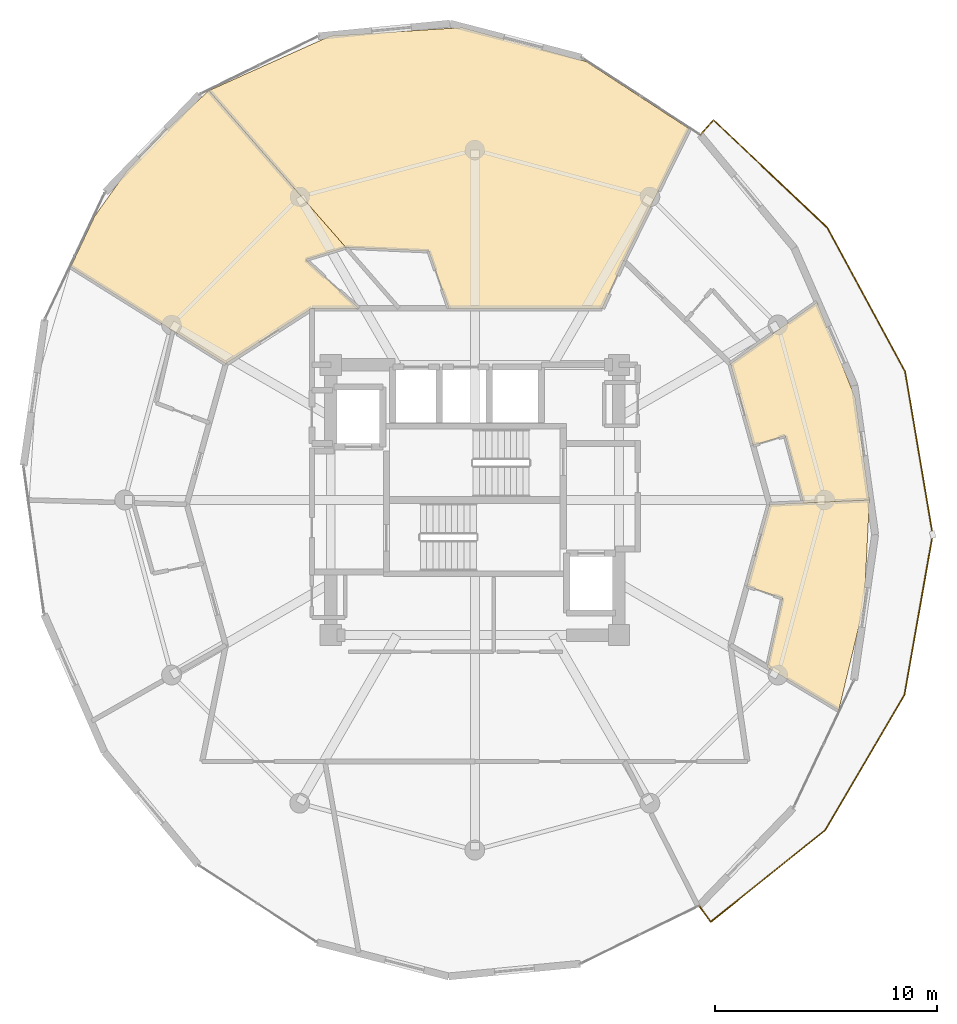
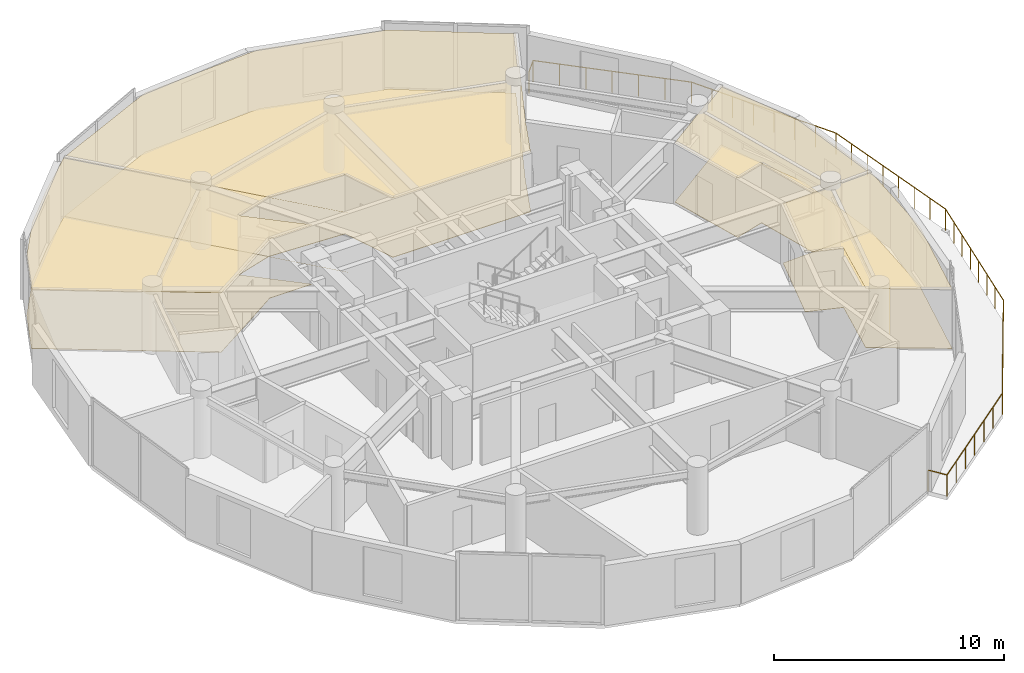
# One storey, part 22 of 22: 8 coverings, 1 railing.
"""IFC4 building model written with IfcOpenShell, lengths in metres."""

from ifc_helpers import new_model, si_unit, direction, frame, origin, origin_2d, place, context, subcontext, project, spatial, polyline, circle, outline, extrude, material, layer, layer_set, type_object, element, save


model = new_model("IFC4")

# Units and contexts
model_context = context("Model", 3, precision=1e-05, world=origin(), true_north=direction((0.0, 1.0)))
body_context = subcontext(model_context, "Body", "Model", "MODEL_VIEW")
ifc_project = project(units=[si_unit("LENGTHUNIT", "METRE"), si_unit("AREAUNIT", "SQUARE_METRE"), si_unit("VOLUMEUNIT", "CUBIC_METRE"), si_unit("PLANEANGLEUNIT", "RADIAN"), si_unit("MASSUNIT", "GRAM", prefix="KILO")], contexts=[model_context])

# Site, building, storey
site_placement = place(None, origin())
site = spatial("IfcSite", under=ifc_project, at=site_placement, CompositionType="ELEMENT")
building_placement = place(site_placement, origin())
building = spatial("IfcBuilding", under=site, at=building_placement, Name="Solvirekh Grand Hotel", CompositionType="ELEMENT")
storey_placement = place(building_placement, frame((0.0, 0.0, 230.800048828125)))
storey = spatial("IfcBuildingStorey", under=building, at=storey_placement, Name="L60", CompositionType="ELEMENT", Elevation=230.800048828125)

# Coverings
ifc_material_1 = material(Name="Acoustic Mineral Ceiling Tile")
ifc_layer_1 = layer(ifc_material_1, 0.02490234375)
ifc_layer_set_1 = layer_set([ifc_layer_1], Name="Acoustic Mineral Ceiling Tile")
covering_type_1 = type_object("IfcCoveringType", Name="Cov_Ceiling_Acoustic", PredefinedType="CEILING", material=ifc_layer_set_1)
covering_1_placement = place(storey_placement, frame((0.0, 0.0, 3.14990234375)))
element("IfcCovering", 1, at=covering_1_placement, inside=storey, type_object=covering_type_1, Name="L60 Panorama Suite 6201 acoustic ceiling", PredefinedType="CEILING", context=body_context, shape_type="SweptSolid", body=[
    extrude(outline(polyline([(-5.822021484375, 11.40087890625), (-2.077880859375, 11.23193359375), (-1.169921875, 8.64990234375), (5.75, 8.64990234375), (6.72509765625, 10.799072265625), (9.674072265625, 16.7548828125), (5.02587890625, 19.7880859375), (-0.55810546875, 21.319091796875), (-6.50390625, 20.946044921875), (-11.998046875, 18.47509765625), (-5.822021484375, 11.40087890625)])), origin(), (0.0, 0.0, 1.0), 0.01806640625),
])
covering_2_placement = place(storey_placement, frame((0.0, 0.0, 3.14990234375)))
element("IfcCovering", 2, at=covering_2_placement, inside=storey, type_object=covering_type_1, Name="L60 Deluxe Guestroom 6202 acoustic ceiling", PredefinedType="CEILING", context=body_context, shape_type="SweptSolid", body=[
    extrude(outline(polyline([(-5.22802734375, 8.64990234375), (-7.62890625, 10.845947265625), (-5.822021484375, 11.40087890625), (-3.419921875, 8.64990234375), (-11.998046875, 18.47509765625), (-13.904052734375, 16.717041015625), (-15.677978515625, 14.8779296875), (-17.152099609375, 12.80810546875), (-18.23388671875, 10.527099609375), (-11.238037109375, 6.14990234375), (-7.35009765625, 8.64990234375), (-5.22802734375, 8.64990234375)])), origin(), (0.0, 0.0, 1.0), 0.01806640625),
])
covering_3_placement = place(storey_placement, frame((0.0, 0.0, 3.14990234375)))
element("IfcCovering", 3, at=covering_3_placement, inside=storey, type_object=covering_type_1, Name="L60 Deluxe Guestroom 6205 acoustic ceiling", PredefinedType="CEILING", context=body_context, shape_type="SweptSolid", body=[
    extrude(outline(polyline([(13.885986328125, -4.43310546875), (13.200927734375, -7.548095703125), (16.427978515625, -9.485107421875), (17.571044921875, -4.7080078125), (17.81005859375, 0.0), (13.300048828125, -0.199951171875), (12.278076171875, -3.883056640625), (13.885986328125, -4.43310546875)])), origin(), (0.0, 0.0, 1.0), 0.01806640625),
])
covering_4_placement = place(storey_placement, frame((0.0, 0.0, 3.14990234375)))
element("IfcCovering", 4, at=covering_4_placement, inside=storey, type_object=covering_type_1, Name="L60 Deluxe Guestroom 6206 acoustic ceiling", PredefinedType="CEILING", context=body_context, shape_type="SweptSolid", body=[
    extrude(outline(polyline([(14.008056640625, 2.902099609375), (14.8330078125, -0.132080078125), (17.81005859375, 0.0), (17.173095703125, 4.60205078125), (15.447021484375, 8.9189453125), (11.5380859375, 6.14990234375), (12.56005859375, 2.467041015625), (14.008056640625, 2.902099609375)])), origin(), (0.0, 0.0, 1.0), 0.01806640625),
])
ifc_material_2 = material(Name="Porcelain Stoneware Flooring", Category="masonry")
ifc_layer_2 = layer(ifc_material_2, 0.030029296875)
ifc_layer_set_2 = layer_set([ifc_layer_2], Name="Porcelain Stoneware Flooring")
covering_type_2 = type_object("IfcCoveringType", Name="Cov_Floor_Stone", PredefinedType="FLOORING", material=ifc_layer_set_2)
covering_5_placement = place(storey_placement, origin())
element("IfcCovering", 5, at=covering_5_placement, inside=storey, type_object=covering_type_2, Name="L60 Panorama Suite 6201 polished granite flooring", PredefinedType="FLOORING", context=body_context, shape_type="SweptSolid", body=[
    extrude(outline(polyline([(-5.822021484375, 11.40087890625), (-2.077880859375, 11.23193359375), (-1.169921875, 8.64990234375), (5.75, 8.64990234375), (6.72509765625, 10.799072265625), (9.674072265625, 16.7548828125), (5.02587890625, 19.7880859375), (-0.55810546875, 21.319091796875), (-6.50390625, 20.946044921875), (-11.998046875, 18.47509765625), (-5.822021484375, 11.40087890625)])), origin(), (0.0, 0.0, 1.0), 0.02001953125),
])
covering_6_placement = place(storey_placement, origin())
element("IfcCovering", 6, at=covering_6_placement, inside=storey, type_object=covering_type_2, Name="L60 Deluxe Guestroom 6202 polished granite flooring", PredefinedType="FLOORING", context=body_context, shape_type="SweptSolid", body=[
    extrude(outline(polyline([(-5.22802734375, 8.64990234375), (-7.62890625, 10.845947265625), (-5.822021484375, 11.40087890625), (-3.419921875, 8.64990234375), (-11.998046875, 18.47509765625), (-13.904052734375, 16.717041015625), (-15.677978515625, 14.8779296875), (-17.152099609375, 12.80810546875), (-18.23388671875, 10.527099609375), (-11.238037109375, 6.14990234375), (-7.35009765625, 8.64990234375), (-5.22802734375, 8.64990234375)])), origin(), (0.0, 0.0, 1.0), 0.02001953125),
])
covering_7_placement = place(storey_placement, origin())
element("IfcCovering", 7, at=covering_7_placement, inside=storey, type_object=covering_type_2, Name="L60 Deluxe Guestroom 6205 polished granite flooring", PredefinedType="FLOORING", context=body_context, shape_type="SweptSolid", body=[
    extrude(outline(polyline([(13.885986328125, -4.43310546875), (13.200927734375, -7.548095703125), (16.427978515625, -9.485107421875), (17.571044921875, -4.7080078125), (17.81005859375, 0.0), (13.300048828125, -0.199951171875), (12.278076171875, -3.883056640625), (13.885986328125, -4.43310546875)])), origin(), (0.0, 0.0, 1.0), 0.02001953125),
])
covering_8_placement = place(storey_placement, origin())
element("IfcCovering", 8, at=covering_8_placement, inside=storey, type_object=covering_type_2, Name="L60 Deluxe Guestroom 6206 polished granite flooring", PredefinedType="FLOORING", context=body_context, shape_type="SweptSolid", body=[
    extrude(outline(polyline([(14.008056640625, 2.902099609375), (14.8330078125, -0.132080078125), (17.81005859375, 0.0), (17.173095703125, 4.60205078125), (15.447021484375, 8.9189453125), (11.5380859375, 6.14990234375), (12.56005859375, 2.467041015625), (14.008056640625, 2.902099609375)])), origin(), (0.0, 0.0, 1.0), 0.02001953125),
])

# Railing
ifc_material_3 = material(Name="Anodized Bronze Aluminium 6063-T6", Category="aluminium")
railing_type = type_object("IfcRailingType", Name="Guard_ExtGlass_1150", PredefinedType="BALUSTRADE", material=ifc_material_3)
railing_placement = place(storey_placement, frame((10.118896484375, -18.31298828125, 0.0)))
element("IfcRailing", 9, at=railing_placement, inside=storey, type_object=railing_type, Name="L60 balc perimeter glass balustrade", PredefinedType="BALUSTRADE", context=body_context, shape_type="SweptSolid", body=[
    extrude(circle(Radius=0.02392578125, at=origin_2d()), frame((0.0, 0.0, 1.1259765625), z_axis=(0.589799002765, -0.807550082866, 0.0), x_axis=(0.807550082866, 0.589799002765, 0.0)), (0.0, 0.0, 1.0), 0.900390625),
    extrude(circle(Radius=0.02392578125, at=origin_2d()), frame((0.531005859375, -0.72705078125, 1.1259765625), z_axis=(0.779998450316, 0.625781445477, 0.0), x_axis=(-0.625781445477, 0.779998450316, 0.0)), (0.0, 0.0, 1.0), 6.62841796875),
    extrude(circle(Radius=0.02392578125, at=origin_2d()), frame((5.701171875, 3.4208984375, 1.1259765625), z_axis=(0.50596997708, 0.862551089672, 0.0), x_axis=(-0.862551089672, 0.50596997708, 0.0)), (0.0, 0.0, 1.0), 7.053466796875),
    extrude(circle(Radius=0.02392578125, at=origin_2d()), frame((9.27001953125, 9.5048828125, 1.1259765625), z_axis=(0.173616819789, 0.984813281737, 0.0), x_axis=(-0.984813281737, 0.173616819789, 0.0)), (0.0, 0.0, 1.0), 7.35595703125),
    extrude(circle(Radius=0.02392578125, at=origin_2d()), frame((10.547119140625, 16.7490234375, 1.1259765625), z_axis=(-0.166861723703, 0.985980306681, 0.0), x_axis=(-0.985980306681, -0.166861723703, 0.0)), (0.0, 0.0, 1.0), 7.4736328125),
    extrude(circle(Radius=0.02392578125, at=origin_2d()), frame((9.300048828125, 24.117919921875, 1.1259765625), z_axis=(-0.47607955477, 0.879402216014, 0.0), x_axis=(-0.879402216014, -0.47607955477, 0.0)), (0.0, 0.0, 1.0), 7.37890625),
    extrude(circle(Radius=0.02392578125, at=origin_2d()), frame((5.787109375, 30.60693359375, 1.1259765625), z_axis=(-0.726642264376, 0.687016025739, 0.0), x_axis=(-0.687016025739, -0.726642264376, 0.0)), (0.0, 0.0, 1.0), 7.066650390625),
    extrude(circle(Radius=0.02392578125, at=origin_2d()), frame((0.652099609375, 35.4619140625, 1.1259765625), z_axis=(-0.667223222082, -0.744857819932, 0.0), x_axis=(0.744857819932, -0.667223222082, 0.0)), (0.0, 0.0, 1.0), 0.8994140625),
    extrude(circle(Radius=0.02099609375, at=origin_2d()), origin(), (0.0, 0.0, 1.0), 1.101806640625),
    extrude(circle(Radius=0.02099609375, at=origin_2d()), frame((0.531005859375, -0.72705078125, 0.0)), (0.0, 0.0, 1.0), 1.101806640625),
    extrude(circle(Radius=0.02099609375, at=origin_2d()), frame((1.392578125, -0.03564453125, 0.0)), (0.0, 0.0, 1.0), 1.101806640625),
    extrude(circle(Radius=0.02099609375, at=origin_2d()), frame((2.25439453125, 0.655517578125, 0.0)), (0.0, 0.0, 1.0), 1.101806640625),
    extrude(circle(Radius=0.02099609375, at=origin_2d()), frame((3.1162109375, 1.346923828125, 0.0)), (0.0, 0.0, 1.0), 1.101806640625),
    extrude(circle(Radius=0.02099609375, at=origin_2d()), frame((3.977783203125, 2.038330078125, 0.0)), (0.0, 0.0, 1.0), 1.101806640625),
    extrude(circle(Radius=0.02099609375, at=origin_2d()), frame((4.83935546875, 2.7294921875, 0.0)), (0.0, 0.0, 1.0), 1.101806640625),
    extrude(circle(Radius=0.02099609375, at=origin_2d()), frame((5.701171875, 3.4208984375, 0.0)), (0.0, 0.0, 1.0), 1.101806640625),
    extrude(circle(Radius=0.02099609375, at=origin_2d()), frame((6.2958984375, 4.434814453125, 0.0)), (0.0, 0.0, 1.0), 1.101806640625),
    extrude(circle(Radius=0.02099609375, at=origin_2d()), frame((6.890869140625, 5.448974609375, 0.0)), (0.0, 0.0, 1.0), 1.101806640625),
    extrude(circle(Radius=0.02099609375, at=origin_2d()), frame((7.485595703125, 6.462890625, 0.0)), (0.0, 0.0, 1.0), 1.101806640625),
    extrude(circle(Radius=0.02099609375, at=origin_2d()), frame((8.080322265625, 7.476806640625, 0.0)), (0.0, 0.0, 1.0), 1.101806640625),
    extrude(circle(Radius=0.02099609375, at=origin_2d()), frame((8.67529296875, 8.490966796875, 0.0)), (0.0, 0.0, 1.0), 1.101806640625),
    extrude(circle(Radius=0.02099609375, at=origin_2d()), frame((9.27001953125, 9.5048828125, 0.0)), (0.0, 0.0, 1.0), 1.101806640625),
    extrude(circle(Radius=0.02099609375, at=origin_2d()), frame((9.452392578125, 10.539794921875, 0.0)), (0.0, 0.0, 1.0), 1.101806640625),
    extrude(circle(Radius=0.02099609375, at=origin_2d()), frame((9.635009765625, 11.57470703125, 0.0)), (0.0, 0.0, 1.0), 1.101806640625),
    extrude(circle(Radius=0.02099609375, at=origin_2d()), frame((9.8173828125, 12.609619140625, 0.0)), (0.0, 0.0, 1.0), 1.101806640625),
    extrude(circle(Radius=0.02099609375, at=origin_2d()), frame((9.999755859375, 13.644287109375, 0.0)), (0.0, 0.0, 1.0), 1.101806640625),
    extrude(circle(Radius=0.02099609375, at=origin_2d()), frame((10.18212890625, 14.67919921875, 0.0)), (0.0, 0.0, 1.0), 1.101806640625),
    extrude(circle(Radius=0.02099609375, at=origin_2d()), frame((10.36474609375, 15.714111328125, 0.0)), (0.0, 0.0, 1.0), 1.101806640625),
    extrude(circle(Radius=0.02099609375, at=origin_2d()), frame((10.547119140625, 16.7490234375, 0.0)), (0.0, 0.0, 1.0), 1.101806640625),
    extrude(circle(Radius=0.02099609375, at=origin_2d()), frame((10.368896484375, 17.8017578125, 0.0)), (0.0, 0.0, 1.0), 1.101806640625),
    extrude(circle(Radius=0.02099609375, at=origin_2d()), frame((10.19091796875, 18.8544921875, 0.0)), (0.0, 0.0, 1.0), 1.101806640625),
    extrude(circle(Radius=0.02099609375, at=origin_2d()), frame((10.0126953125, 19.9072265625, 0.0)), (0.0, 0.0, 1.0), 1.101806640625),
    extrude(circle(Radius=0.02099609375, at=origin_2d()), frame((9.83447265625, 20.959716796875, 0.0)), (0.0, 0.0, 1.0), 1.101806640625),
    extrude(circle(Radius=0.02099609375, at=origin_2d()), frame((9.65625, 22.012451171875, 0.0)), (0.0, 0.0, 1.0), 1.101806640625),
    extrude(circle(Radius=0.02099609375, at=origin_2d()), frame((9.478271484375, 23.065185546875, 0.0)), (0.0, 0.0, 1.0), 1.101806640625),
    extrude(circle(Radius=0.02099609375, at=origin_2d()), frame((9.300048828125, 24.117919921875, 0.0)), (0.0, 0.0, 1.0), 1.101806640625),
    extrude(circle(Radius=0.02099609375, at=origin_2d()), frame((8.798095703125, 25.044921875, 0.0)), (0.0, 0.0, 1.0), 1.101806640625),
    extrude(circle(Radius=0.02099609375, at=origin_2d()), frame((8.29638671875, 25.971923828125, 0.0)), (0.0, 0.0, 1.0), 1.101806640625),
    extrude(circle(Radius=0.02099609375, at=origin_2d()), frame((7.79443359375, 26.89892578125, 0.0)), (0.0, 0.0, 1.0), 1.101806640625),
    extrude(circle(Radius=0.02099609375, at=origin_2d()), frame((7.292724609375, 27.825927734375, 0.0)), (0.0, 0.0, 1.0), 1.101806640625),
    extrude(circle(Radius=0.02099609375, at=origin_2d()), frame((6.790771484375, 28.7529296875, 0.0)), (0.0, 0.0, 1.0), 1.101806640625),
    extrude(circle(Radius=0.02099609375, at=origin_2d()), frame((6.2890625, 29.679931640625, 0.0)), (0.0, 0.0, 1.0), 1.101806640625),
    extrude(circle(Radius=0.02099609375, at=origin_2d()), frame((5.787109375, 30.60693359375, 0.0)), (0.0, 0.0, 1.0), 1.101806640625),
    extrude(circle(Radius=0.02099609375, at=origin_2d()), frame((4.93115234375, 31.416015625, 0.0)), (0.0, 0.0, 1.0), 1.101806640625),
    extrude(circle(Radius=0.02099609375, at=origin_2d()), frame((4.075439453125, 32.225341796875, 0.0)), (0.0, 0.0, 1.0), 1.101806640625),
    extrude(circle(Radius=0.02099609375, at=origin_2d()), frame((3.2197265625, 33.034423828125, 0.0)), (0.0, 0.0, 1.0), 1.101806640625),
    extrude(circle(Radius=0.02099609375, at=origin_2d()), frame((2.36376953125, 33.843505859375, 0.0)), (0.0, 0.0, 1.0), 1.101806640625),
    extrude(circle(Radius=0.02099609375, at=origin_2d()), frame((1.5078125, 34.65283203125, 0.0)), (0.0, 0.0, 1.0), 1.101806640625),
    extrude(circle(Radius=0.02099609375, at=origin_2d()), frame((0.652099609375, 35.4619140625, 0.0)), (0.0, 0.0, 1.0), 1.101806640625),
    extrude(circle(Radius=0.02099609375, at=origin_2d()), frame((0.052001953125, 34.7919921875, 0.0)), (0.0, 0.0, 1.0), 1.101806640625),
])

save(model, "model.ifc")
